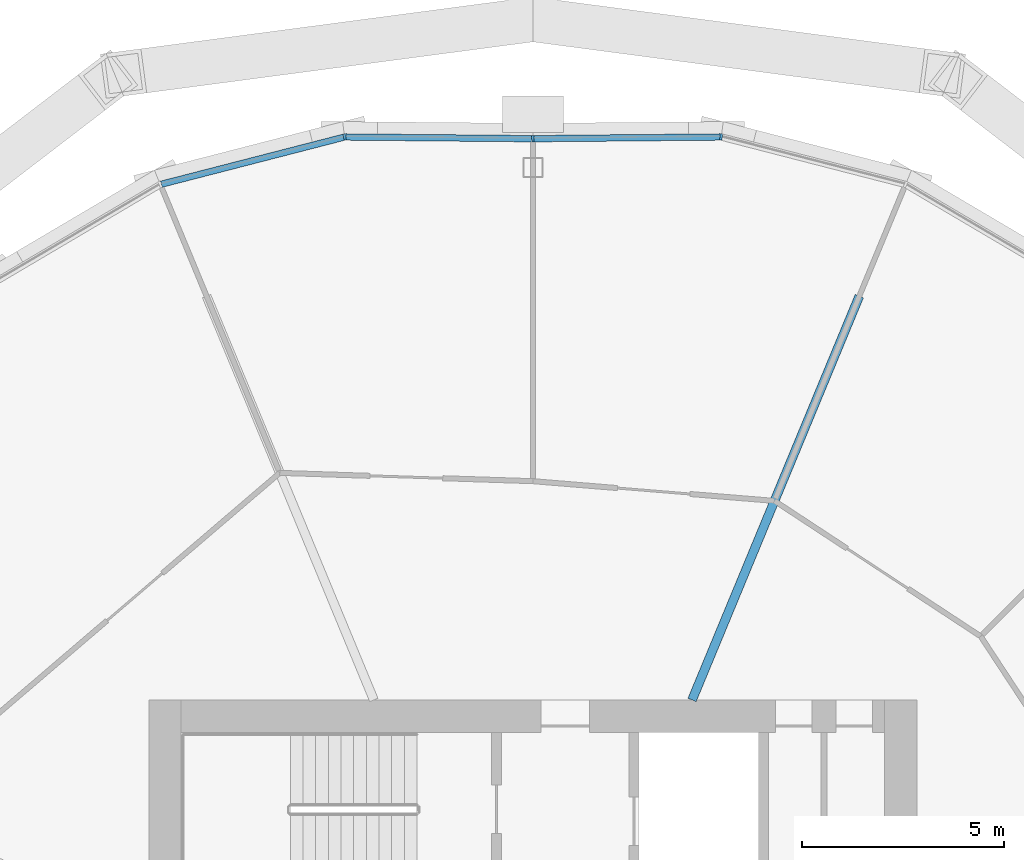
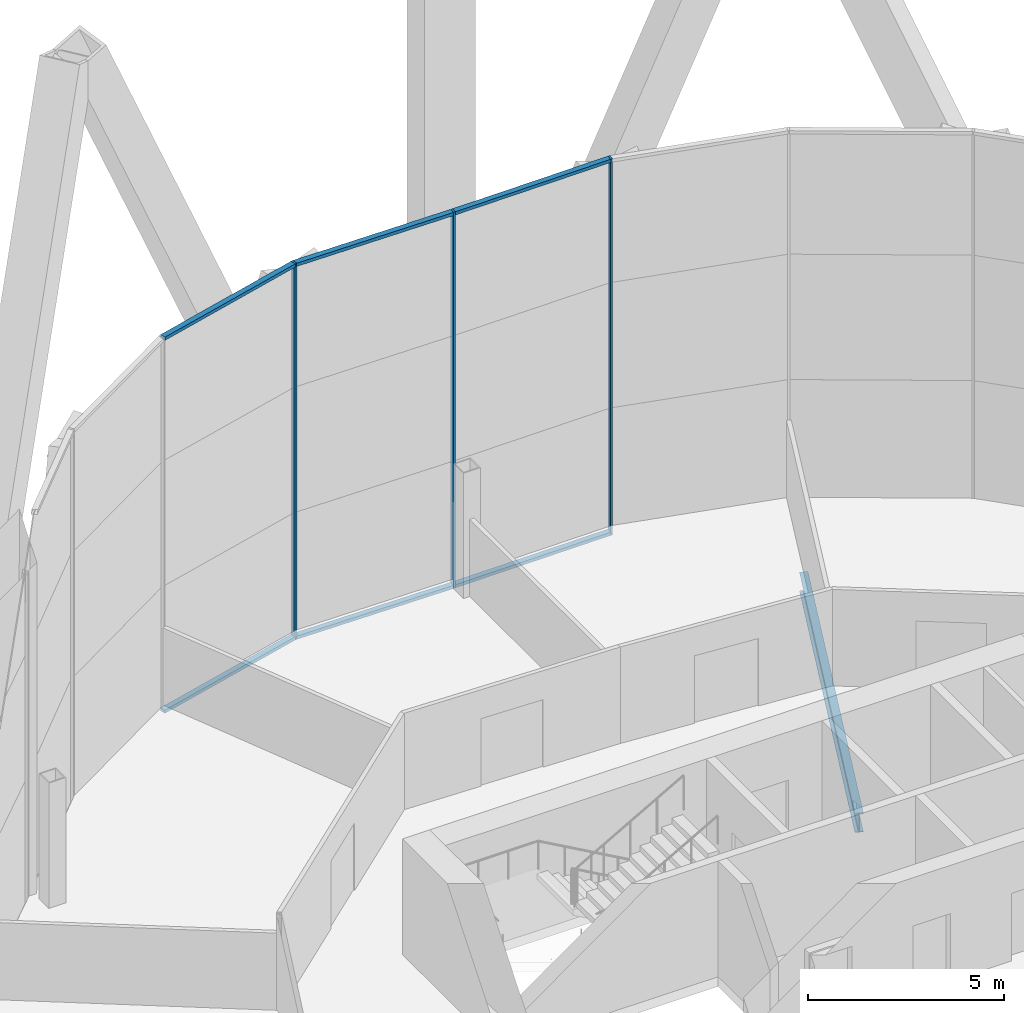
# One storey, part 7 of 26: 9 members, 1 beam, 2 elements without a shape of their own.
"""IFC4 building model written with IfcOpenShell, lengths in metres."""

from ifc_helpers import new_model, si_unit, direction, frame, origin, origin_2d, place, context, subcontext, project, spatial, rectangle, i_section, extrude, material, material_profile, profile_set, type_object, element, aggregate, save


model = new_model("IFC4")

# Units and contexts
model_context = context("Model", 3, precision=1e-05, world=origin(), true_north=direction((0.0, 1.0)))
body_context = subcontext(model_context, "Body", "Model", "MODEL_VIEW")
ifc_project = project(units=[si_unit("LENGTHUNIT", "METRE"), si_unit("AREAUNIT", "SQUARE_METRE"), si_unit("VOLUMEUNIT", "CUBIC_METRE"), si_unit("PLANEANGLEUNIT", "RADIAN"), si_unit("MASSUNIT", "GRAM", prefix="KILO")], contexts=[model_context])

# Site, building, storey
site_placement = place(None, origin())
site = spatial("IfcSite", under=ifc_project, at=site_placement, CompositionType="ELEMENT")
building_placement = place(site_placement, origin())
building = spatial("IfcBuilding", under=site, at=building_placement, Name="Ogive Gate Towers", CompositionType="ELEMENT")
storey_placement = place(building_placement, frame((0.0, 0.0, 76.199951171875)))
storey = spatial("IfcBuildingStorey", under=building, at=storey_placement, Name="L17", CompositionType="ELEMENT", Elevation=76.199951171875)

# Beam
ifc_material_1 = material(Name="Steel SM355", Category="steel")
ifc_material_profile_1 = material_profile(ifc_material_1, i_section(OverallWidth=0.219970703125, OverallDepth=0.60009765625, WebThickness=0.011962890625, FlangeThickness=0.01904296875, FilletRadius=0.02392578125, at=origin_2d()), Name="IPE 600")
ifc_profile_set_1 = profile_set([ifc_material_profile_1], Name="Steel SM355")
beam_type = type_object("IfcBeamType", Name="Radial floor beam IPE 600", PredefinedType="BEAM", material=ifc_profile_set_1)
beam_placement = place(storey_placement, frame((-32.06494140625, 9.5, -0.599853515625), z_axis=(0.382675609774, 0.923882772696, 0.0), x_axis=(-0.923882772696, 0.382675609774, 0.0)))
element("IfcBeam", 1, at=beam_placement, inside=storey, type_object=beam_type, Name="T1/L17/SBM005", PredefinedType="BEAM", context=body_context, shape_type="SweptSolid", body=[
    extrude(i_section(OverallWidth=0.219970703125, OverallDepth=0.60009765625, WebThickness=0.011962890625, FlangeThickness=0.01904296875, FilletRadius=0.02392578125, at=origin_2d()), origin(), (0.0, 0.0, 1.0), 10.809326171875),
])

# Curtain wall, members
ifc_material_2 = material(Name="Pale metal aluminium", Category="aluminium")
curtain_wall_type = type_object("IfcCurtainWallType", Name="Tower unitised wall, low zone", PredefinedType="NOTDEFINED", material=ifc_material_2)
curtain_wall_1_placement = place(storey_placement, origin())
curtain_wall_1 = element("IfcCurtainWall", 2, at=curtain_wall_1_placement, inside=storey, type_object=curtain_wall_type, Name="CW1 T1 ECW02", PredefinedType="NOTDEFINED")
ifc_material_profile_2 = material_profile(ifc_material_2, rectangle(XDim=0.159912109375, YDim=0.06005859375, at=origin_2d()), Name="60 x 160 aluminium box")
ifc_profile_set_2 = profile_set([ifc_material_profile_2], Name="Pale metal aluminium")
member_type_1 = type_object("IfcMemberType", Name="Tower unitised wall, low zone mullion 60 x 160", PredefinedType="MULLION", material=ifc_profile_set_2)
member_1_placement = place(storey_placement, frame((-31.346923828125, 23.4228515625, -0.300048828125), z_axis=(0.0, 0.0, 1.0), x_axis=(0.121141736398, 0.992635219858, 0.0)))
member_1 = element("IfcMember", 3, at=member_1_placement, type_object=member_type_1, Name="CW1 mullion", PredefinedType="MULLION", context=body_context, shape_type="SweptSolid", body=[
    extrude(rectangle(XDim=0.159912109375, YDim=0.06005859375, at=origin_2d()), origin(), (0.0, 0.0, 1.0), 11.7001953125),
])
member_2_placement = place(storey_placement, frame((-35.999755859375, 23.3798828125, -0.300048828125), z_axis=(0.0, 0.0, 1.0), x_axis=(-0.009197755467, 0.999957699753, 0.0)))
member_2 = element("IfcMember", 4, at=member_2_placement, type_object=member_type_1, Name="CW1 mullion", PredefinedType="MULLION", context=body_context, shape_type="SweptSolid", body=[
    extrude(rectangle(XDim=0.159912109375, YDim=0.06005859375, at=origin_2d()), origin(), (0.0, 0.0, 1.0), 11.7001953125),
])

# Curtain wall, member
curtain_wall_2_placement = place(storey_placement, origin())
curtain_wall_2 = element("IfcCurtainWall", 5, at=curtain_wall_2_placement, inside=storey, type_object=curtain_wall_type, Name="CW1 T1 ECW03", PredefinedType="NOTDEFINED")
member_3_placement = place(storey_placement, frame((-40.653076171875, 23.4228515625, -0.300048828125), z_axis=(0.0, 0.0, 1.0), x_axis=(-0.121141736398, 0.992635219858, 0.0)))
member_3 = element("IfcMember", 6, at=member_3_placement, type_object=member_type_1, Name="CW1 mullion", PredefinedType="MULLION", context=body_context, shape_type="SweptSolid", body=[
    extrude(rectangle(XDim=0.159912109375, YDim=0.06005859375, at=origin_2d()), origin(), (0.0, 0.0, 1.0), 11.7001953125),
])

# Member
ifc_material_profile_3 = material_profile(ifc_material_2, rectangle(XDim=0.159912109375, YDim=0.10009765625, at=origin_2d()), Name="100 x 160 aluminium box")
ifc_profile_set_3 = profile_set([ifc_material_profile_3], Name="Pale metal aluminium")
member_type_2 = type_object("IfcMemberType", Name="Tower unitised wall, low zone transom 100 x 160", PredefinedType="USERDEFINED", material=ifc_profile_set_3)
member_4_placement = place(storey_placement, frame((-31.37451171875, 23.422607421875, 11.35009765625), z_axis=(-0.999957762018, -0.009190983574, 0.0), x_axis=(0.009190983574, -0.999957762018, 0.0)))
member_4 = element("IfcMember", 7, at=member_4_placement, type_object=member_type_2, Name="CW1 transom", ObjectType="TRANSOM", PredefinedType="USERDEFINED", context=body_context, shape_type="SweptSolid", body=[
    extrude(rectangle(XDim=0.159912109375, YDim=0.10009765625, at=origin_2d()), origin(), (0.0, 0.0, 1.0), 4.595458984375),
])

member_5_placement = place(storey_placement, frame((-31.37451171875, 23.422607421875, -0.25), z_axis=(-0.999957762018, -0.009190983574, 0.0), x_axis=(0.009190983574, -0.999957762018, 0.0)))
member_5 = element("IfcMember", 8, at=member_5_placement, type_object=member_type_2, Name="CW1 transom", ObjectType="TRANSOM", PredefinedType="USERDEFINED", context=body_context, shape_type="SweptSolid", body=[
    extrude(rectangle(XDim=0.159912109375, YDim=0.10009765625, at=origin_2d()), origin(), (0.0, 0.0, 1.0), 4.595458984375),
])

aggregate(curtain_wall_1, [member_1, member_2, member_4, member_5])

member_6_placement = place(storey_placement, frame((-36.0302734375, 23.38037109375, 11.35009765625), z_axis=(-0.999957762018, 0.009190983574, 0.0), x_axis=(-0.009190983574, -0.999957762018, 0.0)))
member_6 = element("IfcMember", 9, at=member_6_placement, type_object=member_type_2, Name="CW1 transom", ObjectType="TRANSOM", PredefinedType="USERDEFINED", context=body_context, shape_type="SweptSolid", body=[
    extrude(rectangle(XDim=0.159912109375, YDim=0.10009765625, at=origin_2d()), origin(), (0.0, 0.0, 1.0), 4.595458984375),
])

member_7_placement = place(storey_placement, frame((-36.0302734375, 23.38037109375, -0.25), z_axis=(-0.999957762018, 0.009190983574, 0.0), x_axis=(-0.009190983574, -0.999957762018, 0.0)))
member_7 = element("IfcMember", 10, at=member_7_placement, type_object=member_type_2, Name="CW1 transom", ObjectType="TRANSOM", PredefinedType="USERDEFINED", context=body_context, shape_type="SweptSolid", body=[
    extrude(rectangle(XDim=0.159912109375, YDim=0.10009765625, at=origin_2d()), origin(), (0.0, 0.0, 1.0), 4.595458984375),
])

member_8_placement = place(storey_placement, frame((-40.679443359375, 23.416015625, 11.35009765625), z_axis=(-0.968390972422, -0.249437215612, 0.0), x_axis=(0.249437215612, -0.968390972422, 0.0)))
member_8 = element("IfcMember", 11, at=member_8_placement, type_object=member_type_2, Name="CW1 transom", ObjectType="TRANSOM", PredefinedType="USERDEFINED", context=body_context, shape_type="SweptSolid", body=[
    extrude(rectangle(XDim=0.159912109375, YDim=0.10009765625, at=origin_2d()), origin(), (0.0, 0.0, 1.0), 4.656982421875),
])

member_9_placement = place(storey_placement, frame((-40.679443359375, 23.416015625, -0.25), z_axis=(-0.968390972422, -0.249437215612, 0.0), x_axis=(0.249437215612, -0.968390972422, 0.0)))
member_9 = element("IfcMember", 12, at=member_9_placement, type_object=member_type_2, Name="CW1 transom", ObjectType="TRANSOM", PredefinedType="USERDEFINED", context=body_context, shape_type="SweptSolid", body=[
    extrude(rectangle(XDim=0.159912109375, YDim=0.10009765625, at=origin_2d()), origin(), (0.0, 0.0, 1.0), 4.656982421875),
])

aggregate(curtain_wall_2, [member_3, member_6, member_7, member_8, member_9])

save(model, "model.ifc")
